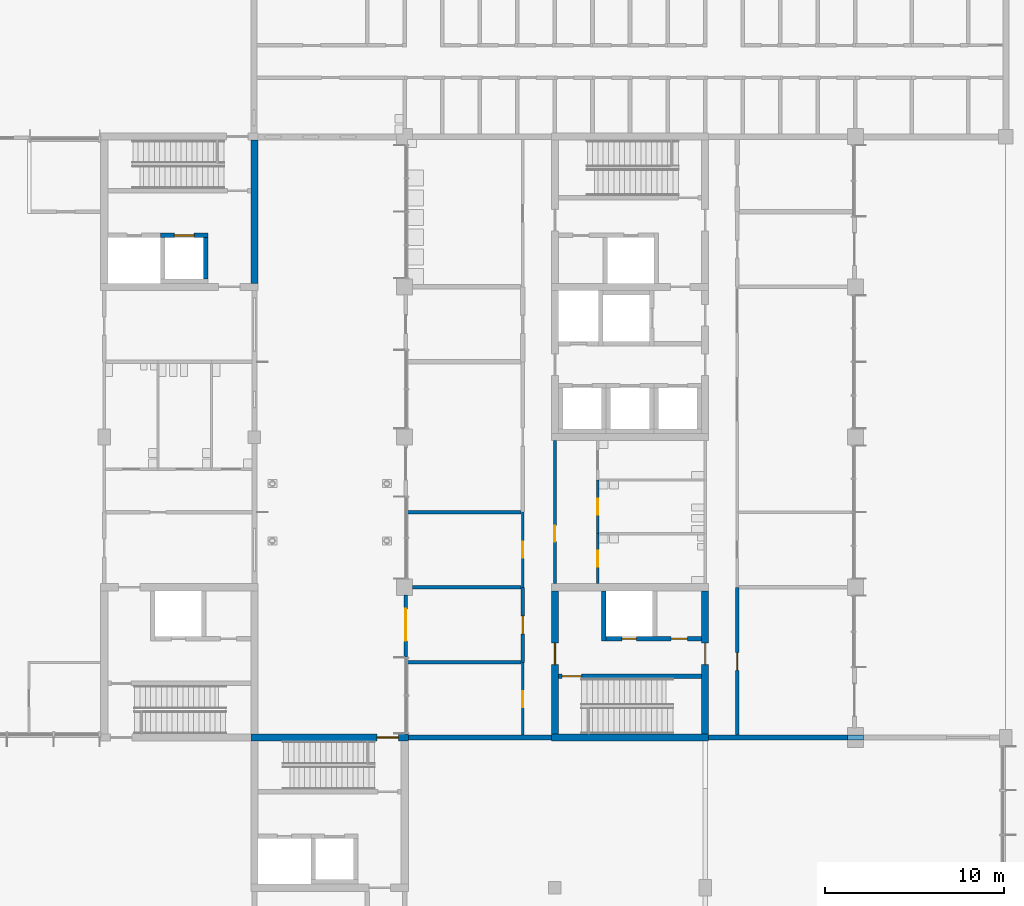
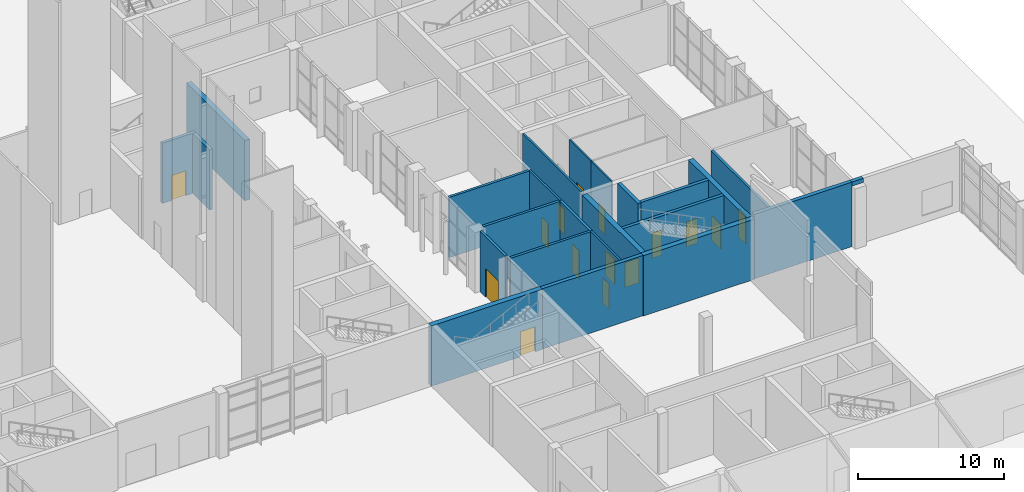
# One storey, part 41 of 76: 24 walls, 15 doors, 15 openings.
"""IFC4 building model written with IfcOpenShell, lengths in metres."""

from ifc_helpers import new_model, si_unit, direction, frame, frame_2d, origin, place, context, subcontext, project, spatial, rectangle, extrude, material, layer, layer_set, type_object, element, fill, save


model = new_model("IFC4")

# Units and contexts
model_context = context("Model", 3, precision=1e-05, world=origin(), true_north=direction((0.0, 1.0)))
body_context = subcontext(model_context, "Body", "Model", "MODEL_VIEW")
ifc_project = project(units=[si_unit("LENGTHUNIT", "METRE"), si_unit("AREAUNIT", "SQUARE_METRE"), si_unit("VOLUMEUNIT", "CUBIC_METRE"), si_unit("PLANEANGLEUNIT", "RADIAN"), si_unit("MASSUNIT", "GRAM", prefix="KILO")], contexts=[model_context])

# Site, building, storey
site_placement = place(None, origin())
site = spatial("IfcSite", under=ifc_project, at=site_placement, CompositionType="ELEMENT")
building_placement = place(site_placement, origin())
building = spatial("IfcBuilding", under=site, at=building_placement, Name="Hlaing Beacon Police Headquarters", CompositionType="ELEMENT")
storey_placement = place(building_placement, origin())
storey = spatial("IfcBuildingStorey", under=building, at=storey_placement, Name="L00", CompositionType="ELEMENT", Elevation=0.0)

# Walls
ifc_material_1 = material(Name="Concrete C40/50", Category="concrete")
ifc_layer_1 = layer(ifc_material_1, 0.300048828125)
ifc_layer_set_1 = layer_set([ifc_layer_1], Name="Concrete C40/50")
wall_type_1 = type_object("IfcWallType", Name="Compartment wall 300", PredefinedType="SOLIDWALL", material=ifc_layer_set_1)
wall_1_placement = place(storey_placement, frame((125.550048828125, 33.60009765625, 0.0), z_axis=(0.0, 0.0, 1.0), x_axis=(-1.0, 0.0, 0.0)))
element("IfcWall", 1, at=wall_1_placement, inside=storey, type_object=wall_type_1, Name="Compartment wall L00 N054", PredefinedType="SOLIDWALL", context=body_context, shape_type="SweptSolid", body=[
    extrude(rectangle(XDim=7.75, YDim=0.300048828125, at=frame_2d((3.875, 0.0))), origin(), (0.0, 0.0, 1.0), 5.39990234375),
])
wall_2_placement = place(storey_placement, frame((109.0, 33.60009765625, 0.0), z_axis=(0.0, 0.0, 1.0), x_axis=(-1.0, 0.0, 0.0)))
element("IfcWall", 2, at=wall_2_placement, inside=storey, type_object=wall_type_1, Name="Compartment wall L00 N055", PredefinedType="SOLIDWALL", context=body_context, shape_type="SweptSolid", body=[
    extrude(rectangle(XDim=8.0, YDim=0.300048828125, at=frame_2d((4.0, 0.0))), origin(), (0.0, 0.0, 1.0), 5.050048828125),
])
ifc_material_2 = material(Name="Concrete C60/75", Category="concrete")
ifc_layer_2 = layer(ifc_material_2, 0.39990234375)
ifc_layer_set_2 = layer_set([ifc_layer_2], Name="Concrete C60/75")
wall_type_2 = type_object("IfcWallType", Name="Core shear wall 400", PredefinedType="SHEAR", material=ifc_layer_set_2)
wall_3_placement = place(storey_placement, frame((92.39990234375, 59.0, 0.0), z_axis=(0.0, 0.0, 1.0), x_axis=(0.0, 1.0, 0.0)))
element("IfcWall", 3, at=wall_3_placement, inside=storey, type_object=wall_type_2, Name="Core shear wall", PredefinedType="SHEAR", context=body_context, shape_type="SweptSolid", body=[
    extrude(rectangle(XDim=8.0, YDim=0.39990234375, at=frame_2d((4.0, 0.0))), origin(), (0.0, 0.0, 1.0), 5.050048828125),
])

# Wall, opening, door
wall_4_placement = place(storey_placement, frame((92.199951171875, 33.60009765625, 0.0), z_axis=(0.0, 0.0, 1.0), x_axis=(1.0, 0.0, 0.0)))
wall_4 = element("IfcWall", 4, at=wall_4_placement, inside=storey, type_object=wall_type_2, Name="Core shear wall", PredefinedType="SHEAR", context=body_context, shape_type="SweptSolid", body=[
    extrude(rectangle(XDim=8.800048828125, YDim=0.39990234375, at=frame_2d((4.39990234375, 0.0))), origin(), (0.0, 0.0, 1.0), 5.050048828125),
])
opening_1_placement = place(wall_4_placement, frame((7.050048828125, 0.0, 0.0)))
opening_1 = element("IfcOpeningElement", 5, at=opening_1_placement, cuts=wall_4, Name="Opening L00-931", PredefinedType="OPENING", context=body_context, shape_type="SweptSolid", body=[
    extrude(rectangle(XDim=1.199951171875, YDim=2.10009765625, at=frame_2d((0.60009765625, 1.050048828125))), frame((0.0, 0.2099609375, 0.0), z_axis=(0.0, -1.0, 0.0), x_axis=(1.0, 0.0, 0.0)), (0.0, 0.0, 1.0), 0.419921875),
])
ifc_material_3 = material(Name="Steel fire door leaf", Category="steel")
ifc_layer_3 = layer(ifc_material_3, 0.070068359375)
ifc_layer_set_3 = layer_set([ifc_layer_3], Name="Steel fire door leaf")
door_type_1 = type_object("IfcDoorType", Name="Steel fire door FD60 1200x2100", OperationType="SINGLE_SWING_LEFT", PredefinedType="DOOR", material=ifc_layer_set_3)
door_1_placement = place(opening_1_placement, origin())
door_1 = element("IfcDoor", 6, at=door_1_placement, inside=storey, type_object=door_type_1, Name="Door Stair ST-G Exit", OperationType="SINGLE_SWING_LEFT", OverallHeight=2.10009765625, OverallWidth=1.199951171875, PredefinedType="DOOR", context=body_context, shape_type="SweptSolid", body=[
    extrude(rectangle(XDim=1.199951171875, YDim=2.10009765625, at=frame_2d((0.60009765625, 1.050048828125))), frame((0.0, 0.03515625, 0.0), z_axis=(0.0, -1.0, 0.0), x_axis=(1.0, 0.0, 0.0)), (0.0, 0.0, 1.0), 0.070068359375),
])
fill(opening_1, door_1)

# Wall
wall_5_placement = place(storey_placement, frame((109.0, 33.60009765625, 0.0), z_axis=(0.0, 0.0, 1.0), x_axis=(1.0, 0.0, 0.0)))
element("IfcWall", 7, at=wall_5_placement, inside=storey, type_object=wall_type_2, Name="Core shear wall", PredefinedType="SHEAR", context=body_context, shape_type="SweptSolid", body=[
    extrude(rectangle(XDim=8.800048828125, YDim=0.39990234375, at=frame_2d((4.39990234375, 0.0))), origin(), (0.0, 0.0, 1.0), 5.050048828125),
])

# Wall, opening, door
wall_6_placement = place(storey_placement, frame((109.199951171875, 33.800048828125, 0.0), z_axis=(0.0, 0.0, 1.0), x_axis=(0.0, 1.0, 0.0)))
wall_6 = element("IfcWall", 8, at=wall_6_placement, inside=storey, type_object=wall_type_2, Name="Core shear wall", PredefinedType="SHEAR", context=body_context, shape_type="SweptSolid", body=[
    extrude(rectangle(XDim=8.0, YDim=0.39990234375, at=frame_2d((4.0, 0.0))), origin(), (0.0, 0.0, 1.0), 5.050048828125),
])
opening_2_placement = place(wall_6_placement, frame((3.875, 0.0, 0.0)))
opening_2 = element("IfcOpeningElement", 9, at=opening_2_placement, cuts=wall_6, Name="Opening L00-956", PredefinedType="OPENING", context=body_context, shape_type="SweptSolid", body=[
    extrude(rectangle(XDim=1.199951171875, YDim=2.10009765625, at=frame_2d((0.60009765625, 1.050048828125))), frame((0.0, 0.2099609375, 0.0), z_axis=(0.0, -1.0, 0.0), x_axis=(1.0, 0.0, 0.0)), (0.0, 0.0, 1.0), 0.419921875),
])
ifc_material_4 = material(Name="Steel fire door leaf", Category="steel")
ifc_layer_4 = layer(ifc_material_4, 0.070068359375)
ifc_layer_set_4 = layer_set([ifc_layer_4], Name="Steel fire door leaf")
door_type_2 = type_object("IfcDoorType", Name="Steel fire door FD60S 1200x2100", OperationType="SINGLE_SWING_LEFT", PredefinedType="DOOR", material=ifc_layer_set_4)
door_2_placement = place(opening_2_placement, frame((1.199951171875, 0.0, 0.0), z_axis=(0.0, 0.0, 1.0), x_axis=(-1.0, 0.0, 0.0)))
door_2 = element("IfcDoor", 10, at=door_2_placement, inside=storey, type_object=door_type_2, Name="Door Stair Lobby ST-L Entry", OperationType="SINGLE_SWING_RIGHT", OverallHeight=2.10009765625, OverallWidth=1.199951171875, PredefinedType="DOOR", context=body_context, shape_type="SweptSolid", body=[
    extrude(rectangle(XDim=1.199951171875, YDim=2.10009765625, at=frame_2d((0.599853515625, 1.050048828125))), frame((0.0, 0.034912109375, 0.0), z_axis=(0.0, -1.0, 0.0), x_axis=(1.0, 0.0, 0.0)), (0.0, 0.0, 1.0), 0.070068359375),
])
fill(opening_2, door_2)

wall_7_placement = place(storey_placement, frame((117.60009765625, 33.800048828125, 0.0), z_axis=(0.0, 0.0, 1.0), x_axis=(0.0, 1.0, 0.0)))
wall_7 = element("IfcWall", 11, at=wall_7_placement, inside=storey, type_object=wall_type_2, Name="Core shear wall", PredefinedType="SHEAR", context=body_context, shape_type="SweptSolid", body=[
    extrude(rectangle(XDim=8.0, YDim=0.39990234375, at=frame_2d((4.0, 0.0))), origin(), (0.0, 0.0, 1.0), 5.050048828125),
])
opening_3_placement = place(wall_7_placement, frame((3.875, 0.0, 0.0)))
opening_3 = element("IfcOpeningElement", 12, at=opening_3_placement, cuts=wall_7, Name="Opening L00-957", PredefinedType="OPENING", context=body_context, shape_type="SweptSolid", body=[
    extrude(rectangle(XDim=1.199951171875, YDim=2.10009765625, at=frame_2d((0.60009765625, 1.050048828125))), frame((0.0, 0.2099609375, 0.0), z_axis=(0.0, -1.0, 0.0), x_axis=(1.0, 0.0, 0.0)), (0.0, 0.0, 1.0), 0.419921875),
])
door_3_placement = place(opening_3_placement, origin())
door_3 = element("IfcDoor", 13, at=door_3_placement, inside=storey, type_object=door_type_2, Name="Door Stair Lobby ST-L Entry", OperationType="SINGLE_SWING_LEFT", OverallHeight=2.10009765625, OverallWidth=1.199951171875, PredefinedType="DOOR", context=body_context, shape_type="SweptSolid", body=[
    extrude(rectangle(XDim=1.199951171875, YDim=2.10009765625, at=frame_2d((0.60009765625, 1.050048828125))), frame((0.0, 0.03515625, 0.0), z_axis=(0.0, -1.0, 0.0), x_axis=(1.0, 0.0, 0.0)), (0.0, 0.0, 1.0), 0.070068359375),
])
fill(opening_3, door_3)

ifc_material_5 = material(Name="Gypsum board partition")
ifc_layer_5 = layer(ifc_material_5, 0.14990234375)
ifc_layer_set_5 = layer_set([ifc_layer_5], Name="Gypsum board partition")
wall_type_3 = type_object("IfcWallType", Name="Corridor wall EI 30 150", PredefinedType="PARTITIONING", material=ifc_layer_set_5)
wall_8_placement = place(storey_placement, frame((109.199951171875, 42.199951171875, 0.0), z_axis=(0.0, 0.0, 1.0), x_axis=(0.0, 1.0, 0.0)))
wall_8 = element("IfcWall", 14, at=wall_8_placement, inside=storey, type_object=wall_type_3, Name="Corridor wall EI 30 150", PredefinedType="PARTITIONING", context=body_context, shape_type="SweptSolid", body=[
    extrude(rectangle(XDim=8.0, YDim=0.14990234375, at=frame_2d((4.0, 0.0))), origin(), (0.0, 0.0, 1.0), 5.050048828125),
])
opening_4_placement = place(wall_8_placement, frame((2.35009765625, 0.0, 0.0)))
opening_4 = element("IfcOpeningElement", 15, at=opening_4_placement, cuts=wall_8, Name="Opening L00-056", PredefinedType="OPENING", context=body_context, shape_type="SweptSolid", body=[
    extrude(rectangle(XDim=0.89990234375, YDim=2.10009765625, at=frame_2d((0.449951171875, 1.050048828125))), frame((0.0, 0.0849609375, 0.0), z_axis=(0.0, -1.0, 0.0), x_axis=(1.0, 0.0, 0.0)), (0.0, 0.0, 1.0), 0.169921875),
])
ifc_material_6 = material(Name="Hardwood door leaf", Category="wood")
ifc_layer_6 = layer(ifc_material_6, 0.050048828125)
ifc_layer_set_6 = layer_set([ifc_layer_6], Name="Hardwood door leaf")
door_type_3 = type_object("IfcDoorType", Name="Fire door FD30S 900x2100", OperationType="SINGLE_SWING_LEFT", PredefinedType="DOOR", material=ifc_layer_set_6)
door_4_placement = place(opening_4_placement, frame((0.89990234375, 0.0, 0.0), z_axis=(0.0, 0.0, 1.0), x_axis=(-1.0, 0.0, 0.0)))
door_4 = element("IfcDoor", 16, at=door_4_placement, inside=storey, type_object=door_type_3, Name="Door WC Lobby", OperationType="SINGLE_SWING_RIGHT", OverallHeight=2.10009765625, OverallWidth=0.89990234375, PredefinedType="DOOR", context=body_context, shape_type="SweptSolid", body=[
    extrude(rectangle(XDim=0.89990234375, YDim=2.10009765625, at=frame_2d((0.449951171875, 1.050048828125))), frame((0.0, 0.025146484375, 0.0), z_axis=(0.0, -1.0, 0.0), x_axis=(1.0, 0.0, 0.0)), (0.0, 0.0, 1.0), 0.050048828125),
])
fill(opening_4, door_4)

wall_9_placement = place(storey_placement, frame((107.39990234375, 33.75, 0.0), z_axis=(0.0, 0.0, 1.0), x_axis=(0.0, 1.0, 0.0)))
wall_9 = element("IfcWall", 17, at=wall_9_placement, inside=storey, type_object=wall_type_3, Name="Corridor wall EI 30 150", PredefinedType="PARTITIONING", context=body_context, shape_type="SweptSolid", body=[
    extrude(rectangle(XDim=4.050048828125, YDim=0.14990234375, at=frame_2d((2.02490234375, 0.0))), origin(), (0.0, 0.0, 1.0), 5.050048828125),
])
opening_5_placement = place(wall_9_placement, frame((1.550048828125, 0.0, 0.0)))
opening_5 = element("IfcOpeningElement", 18, at=opening_5_placement, cuts=wall_9, Name="Opening L00-058", PredefinedType="OPENING", context=body_context, shape_type="SweptSolid", body=[
    extrude(rectangle(XDim=0.89990234375, YDim=2.10009765625, at=frame_2d((0.449951171875, 1.050048828125))), frame((0.0, 0.0849609375, 0.0), z_axis=(0.0, -1.0, 0.0), x_axis=(1.0, 0.0, 0.0)), (0.0, 0.0, 1.0), 0.169921875),
])
door_5_placement = place(opening_5_placement, origin())
door_5 = element("IfcDoor", 19, at=door_5_placement, inside=storey, type_object=door_type_3, Name="Door Operations Stores", OperationType="SINGLE_SWING_RIGHT", OverallHeight=2.10009765625, OverallWidth=0.89990234375, PredefinedType="DOOR", context=body_context, shape_type="SweptSolid", body=[
    extrude(rectangle(XDim=0.89990234375, YDim=2.10009765625, at=frame_2d((0.449951171875, 1.050048828125))), frame((0.0, 0.02490234375, 0.0), z_axis=(0.0, -1.0, 0.0), x_axis=(1.0, 0.0, 0.0)), (0.0, 0.0, 1.0), 0.050048828125),
])
fill(opening_5, door_5)

wall_10_placement = place(storey_placement, frame((107.39990234375, 42.0, 0.0), z_axis=(0.0, 0.0, 1.0), x_axis=(0.0, 1.0, 0.0)))
wall_10 = element("IfcWall", 20, at=wall_10_placement, inside=storey, type_object=wall_type_3, Name="Corridor wall EI 30 150", PredefinedType="PARTITIONING", context=body_context, shape_type="SweptSolid", body=[
    extrude(rectangle(XDim=4.199951171875, YDim=0.14990234375, at=frame_2d((2.10009765625, 0.0))), origin(), (0.0, 0.0, 1.0), 5.050048828125),
])
opening_6_placement = place(wall_10_placement, frame((1.64990234375, 0.0, 0.0)))
opening_6 = element("IfcOpeningElement", 21, at=opening_6_placement, cuts=wall_10, Name="Opening L00-060", PredefinedType="OPENING", context=body_context, shape_type="SweptSolid", body=[
    extrude(rectangle(XDim=0.89990234375, YDim=2.10009765625, at=frame_2d((0.449951171875, 1.050048828125))), frame((0.0, 0.0849609375, 0.0), z_axis=(0.0, -1.0, 0.0), x_axis=(1.0, 0.0, 0.0)), (0.0, 0.0, 1.0), 0.169921875),
])
door_6_placement = place(opening_6_placement, origin())
door_6 = element("IfcDoor", 22, at=door_6_placement, inside=storey, type_object=door_type_3, Name="Door Equipment Issue Room", OperationType="SINGLE_SWING_RIGHT", OverallHeight=2.10009765625, OverallWidth=0.89990234375, PredefinedType="DOOR", context=body_context, shape_type="SweptSolid", body=[
    extrude(rectangle(XDim=0.89990234375, YDim=2.10009765625, at=frame_2d((0.449951171875, 1.050048828125))), frame((0.0, 0.02490234375, 0.0), z_axis=(0.0, -1.0, 0.0), x_axis=(1.0, 0.0, 0.0)), (0.0, 0.0, 1.0), 0.050048828125),
])
fill(opening_6, door_6)

ifc_material_7 = material(Name="Insulated aluminium cladding system", Category="aluminium")
ifc_layer_7 = layer(ifc_material_7, 0.199951171875)
ifc_layer_set_7 = layer_set([ifc_layer_7], Name="Insulated aluminium cladding system")
wall_type_4 = type_object("IfcWallType", Name="Insulated aluminium clad wall 200", PredefinedType="SOLIDWALL", material=ifc_layer_set_7)
wall_11_placement = place(storey_placement, frame((100.85009765625, 41.570068359375, 0.0), z_axis=(0.0, 0.0, 1.0), x_axis=(0.0, -1.0, 0.0)))
wall_11 = element("IfcWall", 23, at=wall_11_placement, inside=storey, type_object=wall_type_4, Name="External wall L00 W042", PredefinedType="SOLIDWALL", context=body_context, shape_type="SweptSolid", body=[
    extrude(rectangle(XDim=3.469970703125, YDim=0.199951171875, at=frame_2d((1.73486328125, 0.0))), origin(), (0.0, 0.0, 1.0), 5.050048828125),
])
opening_7_placement = place(wall_11_placement, frame((0.77001953125, 0.0, 0.0)))
opening_7 = element("IfcOpeningElement", 24, at=opening_7_placement, cuts=wall_11, Name="Opening L00-816", PredefinedType="OPENING", context=body_context, shape_type="SweptSolid", body=[
    extrude(rectangle(XDim=1.800048828125, YDim=2.39990234375, at=frame_2d((0.89990234375, 1.199951171875))), frame((0.0, 0.10986328125, 0.0), z_axis=(0.0, -1.0, 0.0), x_axis=(1.0, 0.0, 0.0)), (0.0, 0.0, 1.0), 0.219970703125),
])
ifc_material_8 = material(Name="Aluminium framed glazed door", Category="aluminium")
door_type_4 = type_object("IfcDoorType", Name="Entrance door 1800x2400 double", OperationType="DOUBLE_DOOR_DOUBLE_SWING", PredefinedType="DOOR", material=ifc_material_8)
door_7_placement = place(opening_7_placement, frame((1.800048828125, 0.0, 0.0), z_axis=(0.0, 0.0, 1.0), x_axis=(-1.0, 0.0, 0.0)))
door_7 = element("IfcDoor", 25, at=door_7_placement, inside=storey, type_object=door_type_4, Name="Door Exit Lobby ST-L", OperationType="DOUBLE_DOOR_DOUBLE_SWING", OverallHeight=2.39990234375, OverallWidth=1.800048828125, PredefinedType="DOOR", context=body_context, shape_type="SweptSolid", body=[
    extrude(rectangle(XDim=1.800048828125, YDim=2.39990234375, at=frame_2d((0.900146484375, 1.199951171875))), frame((0.0, 0.025146484375, 0.0), z_axis=(0.0, -1.0, 0.0), x_axis=(1.0, 0.0, 0.0)), (0.0, 0.0, 1.0), 0.050048828125),
])
fill(opening_7, door_7)

ifc_material_9 = material(Name="Concrete blockwork 7.5 N/mm2", Category="masonry")
ifc_layer_8 = layer(ifc_material_9, 0.199951171875)
ifc_layer_set_8 = layer_set([ifc_layer_8], Name="Concrete blockwork 7.5 N/mm2")
wall_type_5 = type_object("IfcWallType", Name="Lobby wall EI 120 200", PredefinedType="PARTITIONING", material=ifc_layer_set_8)
wall_12_placement = place(storey_placement, frame((119.39990234375, 33.75, 0.0), z_axis=(0.0, 0.0, 1.0), x_axis=(0.0, 1.0, 0.0)))
wall_12 = element("IfcWall", 26, at=wall_12_placement, inside=storey, type_object=wall_type_5, Name="Lobby wall EI 120 200", PredefinedType="PARTITIONING", context=body_context, shape_type="SweptSolid", body=[
    extrude(rectangle(XDim=8.25, YDim=0.199951171875, at=frame_2d((4.125, 0.0))), origin(), (0.0, 0.0, 1.0), 5.050048828125),
])
opening_8_placement = place(wall_12_placement, frame((3.60009765625, 0.0, 0.0)))
opening_8 = element("IfcOpeningElement", 27, at=opening_8_placement, cuts=wall_12, Name="Opening L00-048", PredefinedType="OPENING", context=body_context, shape_type="SweptSolid", body=[
    extrude(rectangle(XDim=1.0, YDim=2.39990234375, at=frame_2d((0.5, 1.199951171875))), frame((0.0, 0.10986328125, 0.0), z_axis=(0.0, -1.0, 0.0), x_axis=(1.0, 0.0, 0.0)), (0.0, 0.0, 1.0), 0.219970703125),
])
ifc_material_10 = material(Name="Hardwood door leaf", Category="wood")
ifc_layer_9 = layer(ifc_material_10, 0.06005859375)
ifc_layer_set_9 = layer_set([ifc_layer_9], Name="Hardwood door leaf")
door_type_5 = type_object("IfcDoorType", Name="Fire public door FD60S 1000x2400", OperationType="SINGLE_SWING_LEFT", PredefinedType="DOOR", material=ifc_layer_set_9)
door_8_placement = place(opening_8_placement, frame((1.0, 0.0, 0.0), z_axis=(0.0, 0.0, 1.0), x_axis=(-1.0, 0.0, 0.0)))
door_8 = element("IfcDoor", 28, at=door_8_placement, inside=storey, type_object=door_type_5, Name="Door Operations Staff Lobby", OperationType="SINGLE_SWING_RIGHT", OverallHeight=2.39990234375, OverallWidth=1.0, PredefinedType="DOOR", context=body_context, shape_type="SweptSolid", body=[
    extrude(rectangle(XDim=1.0, YDim=2.39990234375, at=frame_2d((0.5, 1.199951171875))), frame((0.0, 0.030029296875, 0.0), z_axis=(0.0, -1.0, 0.0), x_axis=(1.0, 0.0, 0.0)), (0.0, 0.0, 1.0), 0.06005859375),
])
fill(opening_8, door_8)

wall_13_placement = place(storey_placement, frame((107.39990234375, 37.800048828125, 0.0), z_axis=(0.0, 0.0, 1.0), x_axis=(0.0, 1.0, 0.0)))
wall_13 = element("IfcWall", 29, at=wall_13_placement, inside=storey, type_object=wall_type_5, Name="Lobby wall EI 120 200", PredefinedType="PARTITIONING", context=body_context, shape_type="SweptSolid", body=[
    extrude(rectangle(XDim=4.199951171875, YDim=0.199951171875, at=frame_2d((2.10009765625, 0.0))), origin(), (0.0, 0.0, 1.0), 5.050048828125),
])
opening_9_placement = place(wall_13_placement, frame((1.60009765625, 0.0, 0.0)))
opening_9 = element("IfcOpeningElement", 30, at=opening_9_placement, cuts=wall_13, Name="Opening L00-059", PredefinedType="OPENING", context=body_context, shape_type="SweptSolid", body=[
    extrude(rectangle(XDim=1.0, YDim=2.39990234375, at=frame_2d((0.5, 1.199951171875))), frame((0.0, 0.10986328125, 0.0), z_axis=(0.0, -1.0, 0.0), x_axis=(1.0, 0.0, 0.0)), (0.0, 0.0, 1.0), 0.219970703125),
])
door_9_placement = place(opening_9_placement, origin())
door_9 = element("IfcDoor", 31, at=door_9_placement, inside=storey, type_object=door_type_5, Name="Door Exit Lobby ST-L", OperationType="SINGLE_SWING_LEFT", OverallHeight=2.39990234375, OverallWidth=1.0, PredefinedType="DOOR", context=body_context, shape_type="SweptSolid", body=[
    extrude(rectangle(XDim=1.0, YDim=2.39990234375, at=frame_2d((0.5, 1.199951171875))), frame((0.0, 0.030029296875, 0.0), z_axis=(0.0, -1.0, 0.0), x_axis=(1.0, 0.0, 0.0)), (0.0, 0.0, 1.0), 0.06005859375),
])
fill(opening_9, door_9)

# Walls
wall_14_placement = place(storey_placement, frame((100.949951171875, 37.800048828125, 0.0), z_axis=(0.0, 0.0, 1.0), x_axis=(1.0, 0.0, 0.0)))
element("IfcWall", 32, at=wall_14_placement, inside=storey, type_object=wall_type_5, Name="Lobby wall EI 120 200", PredefinedType="PARTITIONING", context=body_context, shape_type="SweptSolid", body=[
    extrude(rectangle(XDim=6.35009765625, YDim=0.199951171875, at=frame_2d((3.175048828125, 0.0))), origin(), (0.0, 0.0, 1.0), 5.050048828125),
])
wall_15_placement = place(storey_placement, frame((101.25, 42.0, 0.0), z_axis=(0.0, 0.0, 1.0), x_axis=(1.0, 0.0, 0.0)))
element("IfcWall", 33, at=wall_15_placement, inside=storey, type_object=wall_type_5, Name="Lobby wall EI 120 200", PredefinedType="PARTITIONING", context=body_context, shape_type="SweptSolid", body=[
    extrude(rectangle(XDim=6.050048828125, YDim=0.199951171875, at=frame_2d((3.02490234375, 0.0))), origin(), (0.0, 0.0, 1.0), 5.050048828125),
])
wall_16_placement = place(storey_placement, frame((100.949951171875, 46.199951171875, 0.0), z_axis=(0.0, 0.0, 1.0), x_axis=(1.0, 0.0, 0.0)))
element("IfcWall", 34, at=wall_16_placement, inside=storey, type_object=wall_type_5, Name="Lobby wall EI 120 200", PredefinedType="PARTITIONING", context=body_context, shape_type="SweptSolid", body=[
    extrude(rectangle(XDim=6.35009765625, YDim=0.199951171875, at=frame_2d((3.175048828125, 0.0))), origin(), (0.0, 0.0, 1.0), 5.050048828125),
])

# Wall, opening, door
ifc_material_11 = material(Name="Gypsum board partition")
ifc_layer_10 = layer(ifc_material_11, 0.125)
ifc_layer_set_10 = layer_set([ifc_layer_10], Name="Gypsum board partition")
wall_type_6 = type_object("IfcWallType", Name="Partition 125", PredefinedType="PARTITIONING", material=ifc_layer_set_10)
wall_17_placement = place(storey_placement, frame((111.60009765625, 45.0, 0.0), z_axis=(0.0, 0.0, 1.0), x_axis=(0.0, 1.0, 0.0)))
wall_17 = element("IfcWall", 35, at=wall_17_placement, inside=storey, type_object=wall_type_6, Name="Partition 125", PredefinedType="PARTITIONING", context=body_context, shape_type="SweptSolid", body=[
    extrude(rectangle(XDim=3.0, YDim=0.125, at=frame_2d((1.5, 0.0))), origin(), (0.0, 0.0, 1.0), 5.050048828125),
])
opening_10_placement = place(wall_17_placement, frame((1.050048828125, 0.0, 0.0)))
opening_10 = element("IfcOpeningElement", 36, at=opening_10_placement, cuts=wall_17, Name="Opening L00-055", PredefinedType="OPENING", context=body_context, shape_type="SweptSolid", body=[
    extrude(rectangle(XDim=0.89990234375, YDim=2.10009765625, at=frame_2d((0.449951171875, 1.050048828125))), frame((0.0, 0.072509765625, 0.0), z_axis=(0.0, -1.0, 0.0), x_axis=(1.0, 0.0, 0.0)), (0.0, 0.0, 1.0), 0.14501953125),
])
ifc_material_12 = material(Name="Hardwood door leaf", Category="wood")
ifc_layer_11 = layer(ifc_material_12, 0.0400390625)
ifc_layer_set_11 = layer_set([ifc_layer_11], Name="Hardwood door leaf")
door_type_6 = type_object("IfcDoorType", Name="Door 900x2100", OperationType="SINGLE_SWING_LEFT", PredefinedType="DOOR", material=ifc_layer_set_11)
door_10_placement = place(opening_10_placement, frame((0.89990234375, 0.0, 0.0), z_axis=(0.0, 0.0, 1.0), x_axis=(-1.0, 0.0, 0.0)))
door_10 = element("IfcDoor", 37, at=door_10_placement, inside=storey, type_object=door_type_6, Name="Door Female WC", OperationType="SINGLE_SWING_LEFT", OverallHeight=2.10009765625, OverallWidth=0.89990234375, PredefinedType="DOOR", context=body_context, shape_type="SweptSolid", body=[
    extrude(rectangle(XDim=0.89990234375, YDim=2.10009765625, at=frame_2d((0.449951171875, 1.050048828125))), frame((0.0, 0.02001953125, 0.0), z_axis=(0.0, -1.0, 0.0), x_axis=(1.0, 0.0, 0.0)), (0.0, 0.0, 1.0), 0.0400390625),
])
fill(opening_10, door_10)

wall_18_placement = place(storey_placement, frame((111.60009765625, 42.199951171875, 0.0), z_axis=(0.0, 0.0, 1.0), x_axis=(0.0, 1.0, 0.0)))
wall_18 = element("IfcWall", 38, at=wall_18_placement, inside=storey, type_object=wall_type_6, Name="Partition 125", PredefinedType="PARTITIONING", context=body_context, shape_type="SweptSolid", body=[
    extrude(rectangle(XDim=2.800048828125, YDim=0.125, at=frame_2d((1.39990234375, 0.0))), origin(), (0.0, 0.0, 1.0), 5.050048828125),
])
opening_11_placement = place(wall_18_placement, frame((0.949951171875, 0.0, 0.0)))
opening_11 = element("IfcOpeningElement", 39, at=opening_11_placement, cuts=wall_18, Name="Opening L00-057", PredefinedType="OPENING", context=body_context, shape_type="SweptSolid", body=[
    extrude(rectangle(XDim=0.89990234375, YDim=2.10009765625, at=frame_2d((0.449951171875, 1.050048828125))), frame((0.0, 0.072509765625, 0.0), z_axis=(0.0, -1.0, 0.0), x_axis=(1.0, 0.0, 0.0)), (0.0, 0.0, 1.0), 0.14501953125),
])
door_11_placement = place(opening_11_placement, frame((0.89990234375, 0.0, 0.0), z_axis=(0.0, 0.0, 1.0), x_axis=(-1.0, 0.0, 0.0)))
door_11 = element("IfcDoor", 40, at=door_11_placement, inside=storey, type_object=door_type_6, Name="Door Male WC", OperationType="SINGLE_SWING_LEFT", OverallHeight=2.10009765625, OverallWidth=0.89990234375, PredefinedType="DOOR", context=body_context, shape_type="SweptSolid", body=[
    extrude(rectangle(XDim=0.89990234375, YDim=2.10009765625, at=frame_2d((0.449951171875, 1.050048828125))), frame((0.0, 0.02001953125, 0.0), z_axis=(0.0, -1.0, 0.0), x_axis=(1.0, 0.0, 0.0)), (0.0, 0.0, 1.0), 0.0400390625),
])
fill(opening_11, door_11)

# Wall
ifc_material_13 = material(Name="Concrete C40/50 precast ribbed cladding", Category="concrete")
ifc_layer_12 = layer(ifc_material_13, 0.300048828125)
ifc_layer_set_12 = layer_set([ifc_layer_12], Name="Concrete C40/50 precast ribbed cladding")
wall_type_7 = type_object("IfcWallType", Name="Precast ribbed wall 300", PredefinedType="SOLIDWALL", material=ifc_layer_set_12)
wall_19_placement = place(storey_placement, frame((126.449951171875, 33.60009765625, 5.050048828125), z_axis=(0.0, 0.0, 1.0), x_axis=(-1.0, 0.0, 0.0)))
element("IfcWall", 41, at=wall_19_placement, inside=storey, type_object=wall_type_7, Name="Wall over column L00 N026", PredefinedType="SOLIDWALL", context=body_context, shape_type="SweptSolid", body=[
    extrude(rectangle(XDim=0.89990234375, YDim=0.300048828125, at=frame_2d((0.449951171875, 0.0))), origin(), (0.0, 0.0, 1.0), 0.349853515625),
])

# Wall, opening, door
ifc_material_14 = material(Name="Concrete C40/50", Category="concrete")
ifc_layer_13 = layer(ifc_material_14, 0.25)
ifc_layer_set_13 = layer_set([ifc_layer_13], Name="Concrete C40/50")
wall_type_8 = type_object("IfcWallType", Name="Shaft wall 250", PredefinedType="SOLIDWALL", material=ifc_layer_set_13)
wall_20_placement = place(storey_placement, frame((109.39990234375, 37.02490234375, 0.0), z_axis=(0.0, 0.0, 1.0), x_axis=(1.0, 0.0, 0.0)))
wall_20 = element("IfcWall", 42, at=wall_20_placement, inside=storey, type_object=wall_type_8, Name="Stair enclosure wall", PredefinedType="SOLIDWALL", context=body_context, shape_type="SweptSolid", body=[
    extrude(rectangle(XDim=8.0, YDim=0.25, at=frame_2d((4.0, 0.0))), origin(), (0.0, 0.0, 1.0), 5.050048828125),
])
opening_12_placement = place(wall_20_placement, frame((0.199951171875, 0.0, 0.0)))
opening_12 = element("IfcOpeningElement", 43, at=opening_12_placement, cuts=wall_20, Name="Opening L00-959", PredefinedType="OPENING", context=body_context, shape_type="SweptSolid", body=[
    extrude(rectangle(XDim=1.10009765625, YDim=2.10009765625, at=frame_2d((0.550048828125, 1.050048828125))), frame((0.0, 0.135009765625, 0.0), z_axis=(0.0, -1.0, 0.0), x_axis=(1.0, 0.0, 0.0)), (0.0, 0.0, 1.0), 0.27001953125),
])
ifc_material_15 = material(Name="Steel fire door leaf", Category="steel")
ifc_layer_14 = layer(ifc_material_15, 0.070068359375)
ifc_layer_set_14 = layer_set([ifc_layer_14], Name="Steel fire door leaf")
door_type_7 = type_object("IfcDoorType", Name="Steel fire door FD60 1100x2100", OperationType="SINGLE_SWING_LEFT", PredefinedType="DOOR", material=ifc_layer_set_14)
door_12_placement = place(opening_12_placement, frame((1.10009765625, 0.0, 0.0), z_axis=(0.0, 0.0, 1.0), x_axis=(-1.0, 0.0, 0.0)))
door_12 = element("IfcDoor", 44, at=door_12_placement, inside=storey, type_object=door_type_7, Name="Door Stair ST-L", OperationType="SINGLE_SWING_LEFT", OverallHeight=2.10009765625, OverallWidth=1.10009765625, PredefinedType="DOOR", context=body_context, shape_type="SweptSolid", body=[
    extrude(rectangle(XDim=1.10009765625, YDim=2.10009765625, at=frame_2d((0.550048828125, 1.050048828125))), frame((0.0, 0.034912109375, 0.0), z_axis=(0.0, -1.0, 0.0), x_axis=(1.0, 0.0, 0.0)), (0.0, 0.0, 1.0), 0.070068359375),
])
fill(opening_12, door_12)

# Wall
wall_21_placement = place(storey_placement, frame((111.925048828125, 39.0, 0.0), z_axis=(0.0, 0.0, 1.0), x_axis=(0.0, 1.0, 0.0)))
element("IfcWall", 45, at=wall_21_placement, inside=storey, type_object=wall_type_8, Name="Lobby wall", PredefinedType="SOLIDWALL", context=body_context, shape_type="SweptSolid", body=[
    extrude(rectangle(XDim=2.800048828125, YDim=0.25, at=frame_2d((1.39990234375, 0.0))), origin(), (0.0, 0.0, 1.0), 5.050048828125),
])

# Wall, openings, doors
wall_22_placement = place(storey_placement, frame((112.050048828125, 39.125, 0.0), z_axis=(0.0, 0.0, 1.0), x_axis=(1.0, 0.0, 0.0)))
wall_22 = element("IfcWall", 46, at=wall_22_placement, inside=storey, type_object=wall_type_8, Name="Lobby wall", PredefinedType="SOLIDWALL", context=body_context, shape_type="SweptSolid", body=[
    extrude(rectangle(XDim=5.349853515625, YDim=0.25, at=frame_2d((2.6748046875, 0.0))), origin(), (0.0, 0.0, 1.0), 5.050048828125),
])
opening_13_placement = place(wall_22_placement, frame((3.64990234375, 0.0, 0.0)))
opening_13 = element("IfcOpeningElement", 47, at=opening_13_placement, cuts=wall_22, Name="Opening L00-955", PredefinedType="OPENING", context=body_context, shape_type="SweptSolid", body=[
    extrude(rectangle(XDim=0.89990234375, YDim=2.10009765625, at=frame_2d((0.449951171875, 1.050048828125))), frame((0.0, 0.135009765625, 0.0), z_axis=(0.0, -1.0, 0.0), x_axis=(1.0, 0.0, 0.0)), (0.0, 0.0, 1.0), 0.27001953125),
])
opening_14_placement = place(wall_22_placement, frame((0.89990234375, 0.0, 0.0)))
opening_14 = element("IfcOpeningElement", 48, at=opening_14_placement, cuts=wall_22, Name="Opening L00-958", PredefinedType="OPENING", context=body_context, shape_type="SweptSolid", body=[
    extrude(rectangle(XDim=0.800048828125, YDim=2.10009765625, at=frame_2d((0.39990234375, 1.050048828125))), frame((0.0, 0.135009765625, 0.0), z_axis=(0.0, -1.0, 0.0), x_axis=(1.0, 0.0, 0.0)), (0.0, 0.0, 1.0), 0.27001953125),
])
ifc_material_16 = material(Name="Steel fire door leaf", Category="steel")
ifc_layer_15 = layer(ifc_material_16, 0.070068359375)
ifc_layer_set_15 = layer_set([ifc_layer_15], Name="Steel fire door leaf")
door_type_8 = type_object("IfcDoorType", Name="Steel fire door FD60 800x2100", OperationType="SINGLE_SWING_LEFT", PredefinedType="DOOR", material=ifc_layer_set_15)
door_13_placement = place(opening_14_placement, origin())
door_13 = element("IfcDoor", 49, at=door_13_placement, inside=storey, type_object=door_type_8, Name="Door Services Riser", OperationType="SINGLE_SWING_RIGHT", OverallHeight=2.10009765625, OverallWidth=0.800048828125, PredefinedType="DOOR", context=body_context, shape_type="SweptSolid", body=[
    extrude(rectangle(XDim=0.800048828125, YDim=2.10009765625, at=frame_2d((0.39990234375, 1.050048828125))), frame((0.0, 0.03515625, 0.0), z_axis=(0.0, -1.0, 0.0), x_axis=(1.0, 0.0, 0.0)), (0.0, 0.0, 1.0), 0.070068359375),
])
fill(opening_14, door_13)
ifc_material_17 = material(Name="Steel fire door leaf", Category="steel")
ifc_layer_16 = layer(ifc_material_17, 0.070068359375)
ifc_layer_set_16 = layer_set([ifc_layer_16], Name="Steel fire door leaf")
door_type_9 = type_object("IfcDoorType", Name="Steel fire door FD60 900x2100", OperationType="SINGLE_SWING_LEFT", PredefinedType="DOOR", material=ifc_layer_set_16)
door_14_placement = place(opening_13_placement, origin())
door_14 = element("IfcDoor", 50, at=door_14_placement, inside=storey, type_object=door_type_9, Name="Door Cleaners' Store", OperationType="SINGLE_SWING_LEFT", OverallHeight=2.10009765625, OverallWidth=0.89990234375, PredefinedType="DOOR", context=body_context, shape_type="SweptSolid", body=[
    extrude(rectangle(XDim=0.89990234375, YDim=2.10009765625, at=frame_2d((0.449951171875, 1.050048828125))), frame((0.0, 0.03515625, 0.0), z_axis=(0.0, -1.0, 0.0), x_axis=(1.0, 0.0, 0.0)), (0.0, 0.0, 1.0), 0.070068359375),
])
fill(opening_13, door_14)

# Wall
wall_23_placement = place(storey_placement, frame((89.675048828125, 59.25, 0.0), z_axis=(0.0, 0.0, 1.0), x_axis=(0.0, 1.0, 0.0)))
element("IfcWall", 51, at=wall_23_placement, inside=storey, type_object=wall_type_8, Name="Lift shaft wall PL2", PredefinedType="SOLIDWALL", context=body_context, shape_type="SweptSolid", body=[
    extrude(rectangle(XDim=2.300048828125, YDim=0.25, at=frame_2d((1.14990234375, 0.0))), origin(), (0.0, 0.0, 1.0), 5.050048828125),
])

# Wall, opening, door
wall_24_placement = place(storey_placement, frame((87.14990234375, 61.675048828125, 0.0), z_axis=(0.0, 0.0, 1.0), x_axis=(1.0, 0.0, 0.0)))
wall_24 = element("IfcWall", 52, at=wall_24_placement, inside=storey, type_object=wall_type_8, Name="Lift shaft wall PL2", PredefinedType="SOLIDWALL", context=body_context, shape_type="SweptSolid", body=[
    extrude(rectangle(XDim=2.650146484375, YDim=0.25, at=frame_2d((1.3251953125, 0.0))), origin(), (0.0, 0.0, 1.0), 5.050048828125),
])
opening_15_placement = place(wall_24_placement, frame((0.77490234375, 0.0, 0.0)))
opening_15 = element("IfcOpeningElement", 53, at=opening_15_placement, cuts=wall_24, Name="Opening LD-PL2-L00", PredefinedType="OPENING", context=body_context, shape_type="SweptSolid", body=[
    extrude(rectangle(XDim=1.10009765625, YDim=2.10009765625, at=frame_2d((0.550048828125, 1.050048828125))), frame((0.0, 0.135009765625, 0.0), z_axis=(0.0, -1.0, 0.0), x_axis=(1.0, 0.0, 0.0)), (0.0, 0.0, 1.0), 0.27001953125),
])
ifc_material_18 = material(Name="Stainless steel lift landing door", Category="steel")
ifc_layer_17 = layer(ifc_material_18, 0.06005859375)
ifc_layer_set_17 = layer_set([ifc_layer_17], Name="Stainless steel lift landing door")
door_type_10 = type_object("IfcDoorType", Name="Lift landing door 1100x2100", OperationType="DOUBLE_DOOR_SLIDING", PredefinedType="DOOR", material=ifc_layer_set_17)
door_15_placement = place(opening_15_placement, origin())
door_15 = element("IfcDoor", 54, at=door_15_placement, inside=storey, type_object=door_type_10, Name="Landing door PL2 L00", OperationType="DOUBLE_DOOR_SLIDING", OverallHeight=2.10009765625, OverallWidth=1.10009765625, PredefinedType="DOOR", context=body_context, shape_type="SweptSolid", body=[
    extrude(rectangle(XDim=1.10009765625, YDim=2.10009765625, at=frame_2d((0.550048828125, 1.050048828125))), frame((0.0, 0.0400390625, 0.0), z_axis=(0.0, -1.0, 0.0), x_axis=(1.0, 0.0, 0.0)), (0.0, 0.0, 1.0), 0.080078125),
])
fill(opening_15, door_15)

save(model, "model.ifc")
